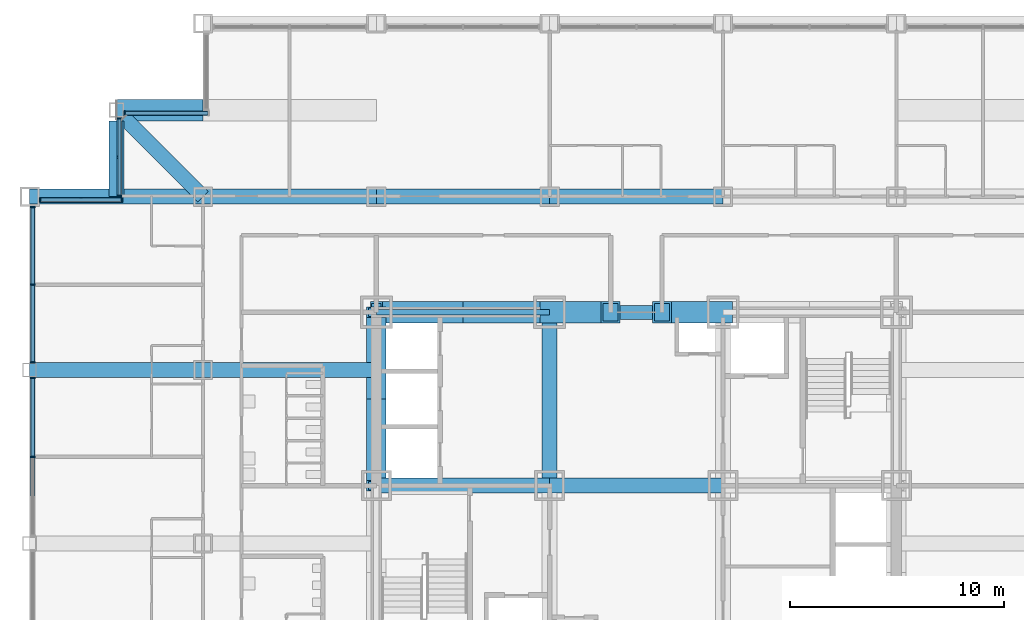
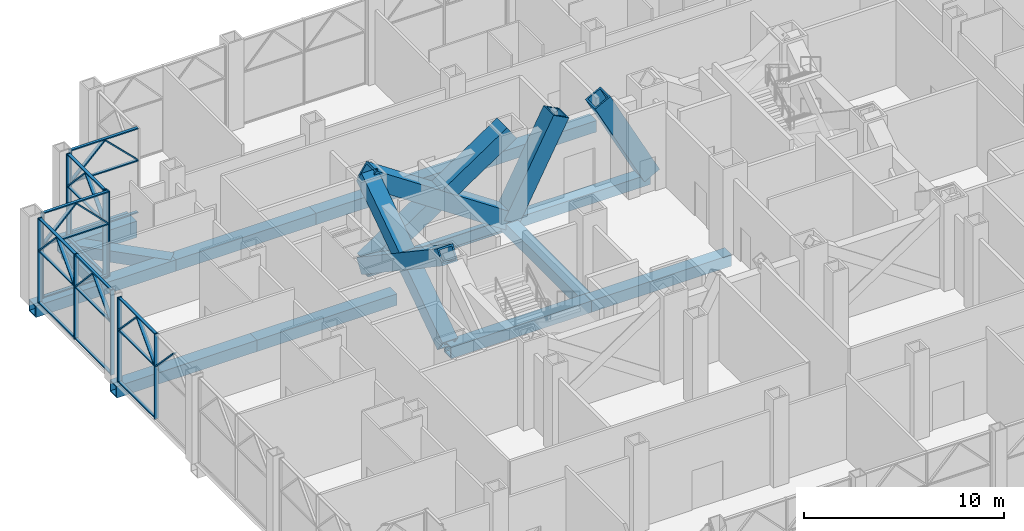
# One storey, part 6 of 26: 47 members, 14 beams, 5 elements without a shape of their own.
"""IFC4 building model written with IfcOpenShell, lengths in metres."""

from ifc_helpers import new_model, si_unit, direction, frame, origin, origin_2d, place, context, subcontext, project, spatial, rectangle, hollow_rectangle, i_section, extrude, material, material_profile, profile_set, type_object, element, aggregate, save


model = new_model("IFC4")

# Units and contexts
model_context = context("Model", 3, precision=1e-05, world=origin(), true_north=direction((0.0, 1.0)))
body_context = subcontext(model_context, "Body", "Model", "MODEL_VIEW")
ifc_project = project(units=[si_unit("LENGTHUNIT", "METRE"), si_unit("AREAUNIT", "SQUARE_METRE"), si_unit("VOLUMEUNIT", "CUBIC_METRE"), si_unit("PLANEANGLEUNIT", "RADIAN"), si_unit("MASSUNIT", "GRAM", prefix="KILO")], contexts=[model_context])

# Site, building, storey
site_placement = place(None, origin())
site = spatial("IfcSite", under=ifc_project, at=site_placement, CompositionType="ELEMENT")
building_placement = place(site_placement, origin())
building = spatial("IfcBuilding", under=site, at=building_placement, Name="Kopane Lantern Tower", CompositionType="ELEMENT")
storey_placement = place(building_placement, frame((0.0, 0.0, 98.0)))
storey = spatial("IfcBuildingStorey", under=building, at=storey_placement, Name="L24", CompositionType="ELEMENT", Elevation=98.0)

# Members
ifc_material_1 = material(Name="Steel S355JR", Category="steel")
ifc_material_profile_1 = material_profile(ifc_material_1, hollow_rectangle(XDim=1.0, YDim=1.0, WallThickness=0.10009765625, at=origin_2d()), Name="BOX 1000x1000x100")
ifc_profile_set_1 = profile_set([ifc_material_profile_1], Name="Steel S355JR")
member_type_1 = type_object("IfcMemberType", Name="BRACE BOX 1000x1000x100", PredefinedType="BRACE", material=ifc_profile_set_1)
for number, where, z_axis, x_axis, name in (
    (1, (16.199951171875, 40.5, -0.25), (0.830159256911, 0.0, 0.557526329571), (0.0, 1.0, 0.0), "Core brace L24"),
    (2, (24.300048828125, 40.5, -0.25), (-0.830159256911, 0.0, 0.557526329571), (0.0, -1.0, 0.0), "Core brace L24"),
):
    element("IfcMember", number, at=place(storey_placement, frame(where, z_axis=z_axis, x_axis=x_axis)), inside=storey, type_object=member_type_1, Name=name, PredefinedType="BRACE", context=body_context, shape_type="SweptSolid", body=[
        extrude(hollow_rectangle(XDim=1.0, YDim=1.0, WallThickness=0.10009765625, at=origin_2d()), origin(), (0.0, 0.0, 1.0), 9.75732421875),
    ])
for number, where, z_axis, x_axis, name in (
    (3, (24.300048828125, 40.5, -0.25), (0.464053044063, 0.0, 0.885807412645), (0.0, 1.0, 0.0), "Core brace L24"),
    (4, (32.39990234375, 40.5, -0.25), (-0.464053044063, 0.0, 0.885807412645), (0.0, -1.0, 0.0), "Core brace L24"),
):
    element("IfcMember", number, at=place(storey_placement, frame(where, z_axis=z_axis, x_axis=x_axis)), inside=storey, type_object=member_type_1, Name=name, PredefinedType="BRACE", context=body_context, shape_type="SweptSolid", body=[
        extrude(hollow_rectangle(XDim=1.0, YDim=1.0, WallThickness=0.10009765625, at=origin_2d()), origin(), (0.0, 0.0, 1.0), 6.14111328125),
    ])
ifc_material_2 = material(Name="Steel S355JR", Category="steel")
ifc_material_profile_2 = material_profile(ifc_material_2, hollow_rectangle(XDim=0.89990234375, YDim=0.89990234375, WallThickness=0.090087890625, at=origin_2d()), Name="BOX 900x900x90")
ifc_profile_set_2 = profile_set([ifc_material_profile_2], Name="Steel S355JR")
member_type_2 = type_object("IfcMemberType", Name="BRACE BOX 900x900x90", PredefinedType="BRACE", material=ifc_profile_set_2)
for number, where, z_axis, x_axis, name in (
    (5, (16.199951171875, 32.39990234375, -0.25), (0.0, 0.830159256911, 0.557526329571), (-1.0, 0.0, 0.0), "Core brace L24"),
    (6, (16.199951171875, 40.5, -0.25), (0.0, -0.830159256911, 0.557526329571), (1.0, 0.0, 0.0), "Core brace L24"),
):
    element("IfcMember", number, at=place(storey_placement, frame(where, z_axis=z_axis, x_axis=x_axis)), inside=storey, type_object=member_type_2, Name=name, PredefinedType="BRACE", context=body_context, shape_type="SweptSolid", body=[
        extrude(hollow_rectangle(XDim=0.89990234375, YDim=0.89990234375, WallThickness=0.090087890625, at=origin_2d()), origin(), (0.0, 0.0, 1.0), 9.75732421875),
    ])

# Beams
ifc_material_3 = material(Name="Steel S355JR", Category="steel")
ifc_material_profile_3 = material_profile(ifc_material_3, hollow_rectangle(XDim=0.699951171875, YDim=0.699951171875, WallThickness=0.06005859375, at=origin_2d()), Name="BOX 700x700x60")
ifc_profile_set_3 = profile_set([ifc_material_profile_3], Name="Steel S355JR")
beam_type_1 = type_object("IfcBeamType", Name="CORE BEAM BOX 700x700x60", PredefinedType="BEAM", material=ifc_profile_set_3)
for number, where, z_axis, x_axis, name in (
    (7, (16.199951171875, 32.39990234375, -0.60009765625), (1.0, 0.0, 0.0), (0.0, 1.0, 0.0), "Core Beam L24"),
    (8, (24.300048828125, 32.39990234375, -0.60009765625), (0.0, 1.0, 0.0), (-1.0, 0.0, 0.0), "Core Beam L24"),
):
    element("IfcBeam", number, at=place(storey_placement, frame(where, z_axis=z_axis, x_axis=x_axis)), inside=storey, type_object=beam_type_1, Name=name, PredefinedType="BEAM", context=body_context, shape_type="SweptSolid", body=[
        extrude(hollow_rectangle(XDim=0.699951171875, YDim=0.699951171875, WallThickness=0.06005859375, at=origin_2d()), origin(), (0.0, 0.0, 1.0), 8.10009765625),
    ])
beam_1_placement = place(storey_placement, frame((24.300048828125, 32.39990234375, -0.60009765625), z_axis=(1.0, 0.0, 0.0), x_axis=(0.0, 1.0, 0.0)))
element("IfcBeam", 9, at=beam_1_placement, inside=storey, type_object=beam_type_1, Name="Core Beam L24", PredefinedType="BEAM", context=body_context, shape_type="SweptSolid", body=[
    extrude(hollow_rectangle(XDim=0.699951171875, YDim=0.699951171875, WallThickness=0.06005859375, at=origin_2d()), origin(), (0.0, 0.0, 1.0), 8.099853515625),
])
ifc_material_4 = material(Name="Steel S355JR", Category="steel")
ifc_material_profile_4 = material_profile(ifc_material_4, hollow_rectangle(XDim=0.699951171875, YDim=0.699951171875, WallThickness=0.06005859375, at=origin_2d()), Name="BOX 700x700x60")
ifc_profile_set_4 = profile_set([ifc_material_profile_4], Name="Steel S355JR")
beam_type_2 = type_object("IfcBeamType", Name="CORNER TIE BEAM BOX 700x700x60", PredefinedType="BEAM", material=ifc_profile_set_4)
beam_2_placement = place(storey_placement, frame((4.403564453125, 49.596435546875, -0.60009765625), z_axis=(0.707106781187, -0.707106781187, 0.0), x_axis=(0.707106781187, 0.707106781187, 0.0)))
element("IfcBeam", 10, at=beam_2_placement, inside=storey, type_object=beam_type_2, Name="Corner Tie Beam L24", PredefinedType="BEAM", context=body_context, shape_type="SweptSolid", body=[
    extrude(hollow_rectangle(XDim=0.699951171875, YDim=0.699951171875, WallThickness=0.06005859375, at=origin_2d()), origin(), (0.0, 0.0, 1.0), 5.227783203125),
])
ifc_material_5 = material(Name="Steel S355JR", Category="steel")
ifc_material_profile_5 = material_profile(ifc_material_5, hollow_rectangle(XDim=0.699951171875, YDim=0.699951171875, WallThickness=0.06005859375, at=origin_2d()), Name="BOX 700x700x60")
ifc_profile_set_5 = profile_set([ifc_material_profile_5], Name="Steel S355JR")
beam_type_3 = type_object("IfcBeamType", Name="EDGE BEAM BOX 700x700x60", PredefinedType="BEAM", material=ifc_profile_set_5)
beam_3_placement = place(storey_placement, frame((4.050048828125, 49.449951171875, -0.60009765625), z_axis=(0.0, -1.0, 0.0), x_axis=(1.0, 0.0, 0.0)))
element("IfcBeam", 11, at=beam_3_placement, inside=storey, type_object=beam_type_3, Name="Edge Beam L24", PredefinedType="BEAM", context=body_context, shape_type="SweptSolid", body=[
    extrude(hollow_rectangle(XDim=0.699951171875, YDim=0.699951171875, WallThickness=0.06005859375, at=origin_2d()), origin(), (0.0, 0.0, 1.0), 3.550048828125),
])
ifc_material_6 = material(Name="Steel S355JR", Category="steel")
ifc_material_profile_6 = material_profile(ifc_material_6, hollow_rectangle(XDim=0.699951171875, YDim=0.699951171875, WallThickness=0.06005859375, at=origin_2d()), Name="BOX 700x700x60")
ifc_profile_set_6 = profile_set([ifc_material_profile_6], Name="Steel S355JR")
beam_type_4 = type_object("IfcBeamType", Name="GIRDER BOX 700x700x60", PredefinedType="BEAM", material=ifc_profile_set_6)
for number, where, z_axis, x_axis, name in (
    (12, (0.0, 37.800048828125, -0.60009765625), (1.0, 0.0, 0.0), (0.0, 1.0, 0.0), "Girder L24"),
    (13, (0.0, 45.89990234375, -0.60009765625), (1.0, 0.0, 0.0), (0.0, 1.0, 0.0), "Girder L24"),
):
    element("IfcBeam", number, at=place(storey_placement, frame(where, z_axis=z_axis, x_axis=x_axis)), inside=storey, type_object=beam_type_4, Name=name, PredefinedType="BEAM", context=body_context, shape_type="SweptSolid", body=[
        extrude(hollow_rectangle(XDim=0.699951171875, YDim=0.699951171875, WallThickness=0.06005859375, at=origin_2d()), origin(), (0.0, 0.0, 1.0), 8.10009765625),
    ])
for number, where, z_axis, x_axis, name in (
    (14, (8.10009765625, 37.800048828125, -0.60009765625), (1.0, 0.0, 0.0), (0.0, 1.0, 0.0), "Girder L24"),
    (15, (8.10009765625, 45.89990234375, -0.60009765625), (1.0, 0.0, 0.0), (0.0, 1.0, 0.0), "Girder L24"),
):
    element("IfcBeam", number, at=place(storey_placement, frame(where, z_axis=z_axis, x_axis=x_axis)), inside=storey, type_object=beam_type_4, Name=name, PredefinedType="BEAM", context=body_context, shape_type="SweptSolid", body=[
        extrude(hollow_rectangle(XDim=0.699951171875, YDim=0.699951171875, WallThickness=0.06005859375, at=origin_2d()), origin(), (0.0, 0.0, 1.0), 8.099853515625),
    ])
beam_4_placement = place(storey_placement, frame((16.199951171875, 45.89990234375, -0.60009765625), z_axis=(1.0, 0.0, 0.0), x_axis=(0.0, 1.0, 0.0)))
element("IfcBeam", 16, at=beam_4_placement, inside=storey, type_object=beam_type_4, Name="Girder L24", PredefinedType="BEAM", context=body_context, shape_type="SweptSolid", body=[
    extrude(hollow_rectangle(XDim=0.699951171875, YDim=0.699951171875, WallThickness=0.06005859375, at=origin_2d()), origin(), (0.0, 0.0, 1.0), 8.10009765625),
])
beam_5_placement = place(storey_placement, frame((24.300048828125, 45.89990234375, -0.60009765625), z_axis=(1.0, 0.0, 0.0), x_axis=(0.0, 1.0, 0.0)))
element("IfcBeam", 17, at=beam_5_placement, inside=storey, type_object=beam_type_4, Name="Girder L24", PredefinedType="BEAM", context=body_context, shape_type="SweptSolid", body=[
    extrude(hollow_rectangle(XDim=0.699951171875, YDim=0.699951171875, WallThickness=0.06005859375, at=origin_2d()), origin(), (0.0, 0.0, 1.0), 8.099853515625),
])
ifc_material_7 = material(Name="Steel S355JR", Category="steel")
ifc_material_profile_7 = material_profile(ifc_material_7, i_section(OverallWidth=0.2666015625, OverallDepth=0.76220703125, WebThickness=0.014404296875, FlangeThickness=0.021484375, FilletRadius=0.0166015625, at=origin_2d()), Name="UB 762x267x173")
ifc_profile_set_7 = profile_set([ifc_material_profile_7], Name="Steel S355JR")
beam_type_5 = type_object("IfcBeamType", Name="GIRDER UB 762x267x173", PredefinedType="BEAM", material=ifc_profile_set_7)
beam_6_placement = place(storey_placement, frame((16.199951171875, 40.5, -0.631103515625), z_axis=(1.0, 0.0, 0.0), x_axis=(0.0, 1.0, 0.0)))
element("IfcBeam", 18, at=beam_6_placement, inside=storey, type_object=beam_type_5, Name="Girder L24", PredefinedType="BEAM", context=body_context, shape_type="SweptSolid", body=[
    extrude(i_section(OverallWidth=0.2666015625, OverallDepth=0.76220703125, WebThickness=0.014404296875, FlangeThickness=0.021484375, FilletRadius=0.0166015625, at=origin_2d()), origin(), (0.0, 0.0, 1.0), 8.10009765625),
])
ifc_material_8 = material(Name="Steel S355JR", Category="steel")
ifc_material_profile_8 = material_profile(ifc_material_8, hollow_rectangle(XDim=0.64990234375, YDim=0.64990234375, WallThickness=0.070068359375, at=origin_2d()), Name="BOX 650x650x70")
ifc_profile_set_8 = profile_set([ifc_material_profile_8], Name="Steel S355JR")
beam_type_6 = type_object("IfcBeamType", Name="LINK BEAM BOX 650x650x70", PredefinedType="BEAM", material=ifc_profile_set_8)
beam_7_placement = place(storey_placement, frame((24.300048828125, 40.5, -0.574951171875), z_axis=(1.0, 0.0, 0.0), x_axis=(0.0, 1.0, 0.0)))
element("IfcBeam", 19, at=beam_7_placement, inside=storey, type_object=beam_type_6, Name="Link Beam L24", PredefinedType="BEAM", context=body_context, shape_type="SweptSolid", body=[
    extrude(hollow_rectangle(XDim=0.64990234375, YDim=0.64990234375, WallThickness=0.070068359375, at=origin_2d()), origin(), (0.0, 0.0, 1.0), 8.099853515625),
])

# Curtain wall, members
ifc_material_9 = material(Name="Aluminium and clear glass", Category="aluminium")
curtain_wall_type = type_object("IfcCurtainWallType", Name="CURTAIN WALL CW3 SKY LOBBY", PredefinedType="USERDEFINED", material=ifc_material_9)
curtain_wall_1_placement = place(storey_placement, origin())
curtain_wall_1 = element("IfcCurtainWall", 20, at=curtain_wall_1_placement, inside=storey, type_object=curtain_wall_type, Name="Curtain wall CW3 N L24", ObjectType="CURTAIN WALL", PredefinedType="USERDEFINED")
ifc_material_10 = material(Name="Aluminium", Category="aluminium")
ifc_material_profile_9 = material_profile(ifc_material_10, rectangle(XDim=0.070068359375, YDim=0.22509765625, at=origin_2d()), Name="AL 70x225")
ifc_profile_set_9 = profile_set([ifc_material_profile_9], Name="Aluminium")
member_type_3 = type_object("IfcMemberType", Name="MULLION CW3-M 70x225", PredefinedType="MULLION", material=ifc_profile_set_9)
member_1_placement = place(storey_placement, frame((4.43994140625, 49.800048828125, 0.0), z_axis=(0.0, 0.0, 1.0), x_axis=(-1.0, 0.0, 0.0)))
member_1 = element("IfcMember", 21, at=member_1_placement, type_object=member_type_3, Name="CW3 mullion 2", PredefinedType="MULLION", context=body_context, shape_type="SweptSolid", body=[
    extrude(rectangle(XDim=0.070068359375, YDim=0.22509765625, at=origin_2d()), origin(), (0.0, 0.0, 1.0), 5.18994140625),
])
member_2_placement = place(storey_placement, frame((8.305419921875, 49.800048828125, 3.25), z_axis=(-0.713429949389, 0.0, 0.700726556736), x_axis=(0.700726556736, 0.0, 0.713429949389)))
member_2 = element("IfcMember", 22, at=member_2_placement, type_object=member_type_3, Name="CW3 lancet mullion 1L", PredefinedType="MULLION", context=body_context, shape_type="SweptSolid", body=[
    extrude(rectangle(XDim=0.070068359375, YDim=0.22509765625, at=origin_2d()), origin(), (0.0, 0.0, 1.0), 2.633056640625),
])
member_3_placement = place(storey_placement, frame((4.49951171875, 49.800048828125, 3.25), z_axis=(0.713429949389, 0.0, 0.700726556736), x_axis=(-0.700726556736, 0.0, 0.713429949389)))
member_3 = element("IfcMember", 23, at=member_3_placement, type_object=member_type_3, Name="CW3 lancet mullion 1R", PredefinedType="MULLION", context=body_context, shape_type="SweptSolid", body=[
    extrude(rectangle(XDim=0.070068359375, YDim=0.22509765625, at=origin_2d()), origin(), (0.0, 0.0, 1.0), 2.633056640625),
])

curtain_wall_2_placement = place(storey_placement, origin())
curtain_wall_2 = element("IfcCurtainWall", 24, at=curtain_wall_2_placement, inside=storey, type_object=curtain_wall_type, Name="Curtain wall CW3 W L24", ObjectType="CURTAIN WALL", PredefinedType="USERDEFINED")
member_4_placement = place(storey_placement, frame((4.199951171875, 49.56005859375, 0.0), z_axis=(0.0, 0.0, 1.0), x_axis=(0.0, -1.0, 0.0)))
member_4 = element("IfcMember", 25, at=member_4_placement, type_object=member_type_3, Name="CW3 mullion 1", PredefinedType="MULLION", context=body_context, shape_type="SweptSolid", body=[
    extrude(rectangle(XDim=0.070068359375, YDim=0.22509765625, at=origin_2d()), origin(), (0.0, 0.0, 1.0), 5.18994140625),
])
member_5_placement = place(storey_placement, frame((4.199951171875, 45.93505859375, 0.0), z_axis=(0.0, 0.0, 1.0), x_axis=(0.0, -1.0, 0.0)))
member_5 = element("IfcMember", 26, at=member_5_placement, type_object=member_type_3, Name="CW3 mullion 2", PredefinedType="MULLION", context=body_context, shape_type="SweptSolid", body=[
    extrude(rectangle(XDim=0.070068359375, YDim=0.22509765625, at=origin_2d()), origin(), (0.0, 0.0, 1.0), 5.18994140625),
])
member_6_placement = place(storey_placement, frame((4.199951171875, 49.49951171875, 3.248779296875), z_axis=(0.0, -0.682755043512, 0.73064735034), x_axis=(0.0, 0.73064735034, 0.682755043512)))
member_6 = element("IfcMember", 27, at=member_6_placement, type_object=member_type_3, Name="CW3 lancet mullion 1L", PredefinedType="MULLION", context=body_context, shape_type="SweptSolid", body=[
    extrude(rectangle(XDim=0.070068359375, YDim=0.22509765625, at=origin_2d()), origin(), (0.0, 0.0, 1.0), 2.528564453125),
])
member_7_placement = place(storey_placement, frame((4.199951171875, 45.99560546875, 3.248779296875), z_axis=(0.0, 0.682755043512, 0.73064735034), x_axis=(0.0, -0.73064735034, 0.682755043512)))
member_7 = element("IfcMember", 28, at=member_7_placement, type_object=member_type_3, Name="CW3 lancet mullion 1R", PredefinedType="MULLION", context=body_context, shape_type="SweptSolid", body=[
    extrude(rectangle(XDim=0.070068359375, YDim=0.22509765625, at=origin_2d()), origin(), (0.0, 0.0, 1.0), 2.528564453125),
])

curtain_wall_3_placement = place(storey_placement, origin())
curtain_wall_3 = element("IfcCurtainWall", 29, at=curtain_wall_3_placement, inside=storey, type_object=curtain_wall_type, Name="Curtain wall CW3 N L24", ObjectType="CURTAIN WALL", PredefinedType="USERDEFINED")
member_8_placement = place(storey_placement, frame((4.31494140625, 45.75, 0.0), z_axis=(0.0, 0.0, 1.0), x_axis=(-1.0, 0.0, 0.0)))
member_8 = element("IfcMember", 30, at=member_8_placement, type_object=member_type_3, Name="CW3 mullion 1", PredefinedType="MULLION", context=body_context, shape_type="SweptSolid", body=[
    extrude(rectangle(XDim=0.070068359375, YDim=0.22509765625, at=origin_2d()), origin(), (0.0, 0.0, 1.0), 5.18994140625),
])
member_9_placement = place(storey_placement, frame((0.489990234375, 45.75, 0.0), z_axis=(0.0, 0.0, 1.0), x_axis=(-1.0, 0.0, 0.0)))
member_9 = element("IfcMember", 31, at=member_9_placement, type_object=member_type_3, Name="CW3 mullion 2", PredefinedType="MULLION", context=body_context, shape_type="SweptSolid", body=[
    extrude(rectangle(XDim=0.070068359375, YDim=0.22509765625, at=origin_2d()), origin(), (0.0, 0.0, 1.0), 5.18994140625),
])
member_10_placement = place(storey_placement, frame((4.255126953125, 45.75, 3.24951171875), z_axis=(-0.703573550924, 0.0, 0.710622444368), x_axis=(0.710622444368, 0.0, 0.703573550924)))
member_10 = element("IfcMember", 32, at=member_10_placement, type_object=member_type_3, Name="CW3 lancet mullion 1L", PredefinedType="MULLION", context=body_context, shape_type="SweptSolid", body=[
    extrude(rectangle(XDim=0.070068359375, YDim=0.22509765625, at=origin_2d()), origin(), (0.0, 0.0, 1.0), 2.59765625),
])
member_11_placement = place(storey_placement, frame((0.5498046875, 45.75, 3.24951171875), z_axis=(0.703621007287, 0.0, 0.710575455602), x_axis=(-0.710575455602, 0.0, 0.703621007287)))
member_11 = element("IfcMember", 33, at=member_11_placement, type_object=member_type_3, Name="CW3 lancet mullion 1R", PredefinedType="MULLION", context=body_context, shape_type="SweptSolid", body=[
    extrude(rectangle(XDim=0.070068359375, YDim=0.22509765625, at=origin_2d()), origin(), (0.0, 0.0, 1.0), 2.597900390625),
])

curtain_wall_4_placement = place(storey_placement, origin())
curtain_wall_4 = element("IfcCurtainWall", 34, at=curtain_wall_4_placement, inside=storey, type_object=curtain_wall_type, Name="Curtain wall CW3 W L24", ObjectType="CURTAIN WALL", PredefinedType="USERDEFINED")
member_12_placement = place(storey_placement, frame((0.14990234375, 45.409912109375, 0.0), z_axis=(0.0, 0.0, 1.0), x_axis=(0.0, -1.0, 0.0)))
member_12 = element("IfcMember", 35, at=member_12_placement, type_object=member_type_3, Name="CW3 mullion 1", PredefinedType="MULLION", context=body_context, shape_type="SweptSolid", body=[
    extrude(rectangle(XDim=0.070068359375, YDim=0.22509765625, at=origin_2d()), origin(), (0.0, 0.0, 1.0), 5.18994140625),
])
member_13_placement = place(storey_placement, frame((0.14990234375, 41.78759765625, 0.0), z_axis=(0.0, 0.0, 1.0), x_axis=(0.0, -1.0, 0.0)))
member_13 = element("IfcMember", 36, at=member_13_placement, type_object=member_type_3, Name="CW3 mullion 2", PredefinedType="MULLION", context=body_context, shape_type="SweptSolid", body=[
    extrude(rectangle(XDim=0.070068359375, YDim=0.22509765625, at=origin_2d()), origin(), (0.0, 0.0, 1.0), 5.18994140625),
])
member_14_placement = place(storey_placement, frame((0.14990234375, 38.1650390625, 0.0), z_axis=(0.0, 0.0, 1.0), x_axis=(0.0, -1.0, 0.0)))
member_14 = element("IfcMember", 37, at=member_14_placement, type_object=member_type_3, Name="CW3 mullion 3", PredefinedType="MULLION", context=body_context, shape_type="SweptSolid", body=[
    extrude(rectangle(XDim=0.070068359375, YDim=0.22509765625, at=origin_2d()), origin(), (0.0, 0.0, 1.0), 5.18994140625),
])
member_15_placement = place(storey_placement, frame((0.14990234375, 45.349365234375, 3.248779296875), z_axis=(0.0, -0.682497183228, 0.73088822325), x_axis=(0.0, 0.73088822325, 0.682497183228)))
member_15 = element("IfcMember", 38, at=member_15_placement, type_object=member_type_3, Name="CW3 lancet mullion 1L", PredefinedType="MULLION", context=body_context, shape_type="SweptSolid", body=[
    extrude(rectangle(XDim=0.070068359375, YDim=0.22509765625, at=origin_2d()), origin(), (0.0, 0.0, 1.0), 2.527587890625),
])
member_16_placement = place(storey_placement, frame((0.14990234375, 41.84814453125, 3.248779296875), z_axis=(0.0, 0.682497183228, 0.73088822325), x_axis=(0.0, -0.73088822325, 0.682497183228)))
member_16 = element("IfcMember", 39, at=member_16_placement, type_object=member_type_3, Name="CW3 lancet mullion 1R", PredefinedType="MULLION", context=body_context, shape_type="SweptSolid", body=[
    extrude(rectangle(XDim=0.070068359375, YDim=0.22509765625, at=origin_2d()), origin(), (0.0, 0.0, 1.0), 2.527587890625),
])
member_17_placement = place(storey_placement, frame((0.14990234375, 41.726806640625, 3.248779296875), z_axis=(0.0, -0.682497183228, 0.73088822325), x_axis=(0.0, 0.73088822325, 0.682497183228)))
member_17 = element("IfcMember", 40, at=member_17_placement, type_object=member_type_3, Name="CW3 lancet mullion 2L", PredefinedType="MULLION", context=body_context, shape_type="SweptSolid", body=[
    extrude(rectangle(XDim=0.070068359375, YDim=0.22509765625, at=origin_2d()), origin(), (0.0, 0.0, 1.0), 2.527587890625),
])
member_18_placement = place(storey_placement, frame((0.14990234375, 38.2255859375, 3.248779296875), z_axis=(0.0, 0.682497183228, 0.73088822325), x_axis=(0.0, -0.73088822325, 0.682497183228)))
member_18 = element("IfcMember", 41, at=member_18_placement, type_object=member_type_3, Name="CW3 lancet mullion 2R", PredefinedType="MULLION", context=body_context, shape_type="SweptSolid", body=[
    extrude(rectangle(XDim=0.070068359375, YDim=0.22509765625, at=origin_2d()), origin(), (0.0, 0.0, 1.0), 2.527587890625),
])

curtain_wall_5_placement = place(storey_placement, origin())
curtain_wall_5 = element("IfcCurtainWall", 42, at=curtain_wall_5_placement, inside=storey, type_object=curtain_wall_type, Name="Curtain wall CW3 W L24", ObjectType="CURTAIN WALL", PredefinedType="USERDEFINED")
member_19_placement = place(storey_placement, frame((0.14990234375, 37.43505859375, 0.0), z_axis=(0.0, 0.0, 1.0), x_axis=(0.0, -1.0, 0.0)))
member_19 = element("IfcMember", 43, at=member_19_placement, type_object=member_type_3, Name="CW3 mullion 1", PredefinedType="MULLION", context=body_context, shape_type="SweptSolid", body=[
    extrude(rectangle(XDim=0.070068359375, YDim=0.22509765625, at=origin_2d()), origin(), (0.0, 0.0, 1.0), 5.18994140625),
])
member_20_placement = place(storey_placement, frame((0.14990234375, 33.75, 0.0), z_axis=(0.0, 0.0, 1.0), x_axis=(0.0, -1.0, 0.0)))
member_20 = element("IfcMember", 44, at=member_20_placement, type_object=member_type_3, Name="CW3 mullion 2", PredefinedType="MULLION", context=body_context, shape_type="SweptSolid", body=[
    extrude(rectangle(XDim=0.070068359375, YDim=0.22509765625, at=origin_2d()), origin(), (0.0, 0.0, 1.0), 5.18994140625),
])
member_21_placement = place(storey_placement, frame((0.14990234375, 37.37451171875, 3.2490234375), z_axis=(0.0, -0.689164705863, 0.724604725483), x_axis=(0.0, 0.724604725483, 0.689164705863)))
member_21 = element("IfcMember", 45, at=member_21_placement, type_object=member_type_3, Name="CW3 lancet mullion 1L", PredefinedType="MULLION", context=body_context, shape_type="SweptSolid", body=[
    extrude(rectangle(XDim=0.070068359375, YDim=0.22509765625, at=origin_2d()), origin(), (0.0, 0.0, 1.0), 2.548828125),
])
member_22_placement = place(storey_placement, frame((0.14990234375, 33.810302734375, 3.2490234375), z_axis=(0.0, 0.689214992379, 0.724556895129), x_axis=(0.0, -0.724556895129, 0.689214992379)))
member_22 = element("IfcMember", 46, at=member_22_placement, type_object=member_type_3, Name="CW3 lancet mullion 1R", PredefinedType="MULLION", context=body_context, shape_type="SweptSolid", body=[
    extrude(rectangle(XDim=0.070068359375, YDim=0.22509765625, at=origin_2d()), origin(), (0.0, 0.0, 1.0), 2.549072265625),
])
member_23_placement = place(storey_placement, frame((0.14990234375, 33.689697265625, 3.2490234375), z_axis=(0.0, -0.689214992379, 0.724556895129), x_axis=(0.0, 0.724556895129, 0.689214992379)))
member_23 = element("IfcMember", 47, at=member_23_placement, type_object=member_type_3, Name="CW3 lancet mullion 2L", PredefinedType="MULLION", context=body_context, shape_type="SweptSolid", body=[
    extrude(rectangle(XDim=0.070068359375, YDim=0.22509765625, at=origin_2d()), origin(), (0.0, 0.0, 1.0), 2.549072265625),
])

# Beam
ifc_material_11 = material(Name="Steel S355JR", Category="steel")
ifc_material_profile_10 = material_profile(ifc_material_11, hollow_rectangle(XDim=1.0, YDim=1.0, WallThickness=0.06005859375, at=origin_2d()), Name="BOX 1000x1000x60")
ifc_profile_set_10 = profile_set([ifc_material_profile_10], Name="Steel S355JR")
beam_type_7 = type_object("IfcBeamType", Name="TRANSFER BEAM BOX 1000x1000x60", PredefinedType="BEAM", material=ifc_profile_set_10)
beam_8_placement = place(storey_placement, frame((4.050048828125, 49.949951171875, -0.75), z_axis=(1.0, 0.0, 0.0), x_axis=(0.0, 1.0, 0.0)))
element("IfcBeam", 48, at=beam_8_placement, inside=storey, type_object=beam_type_7, Name="Transfer Beam L24", PredefinedType="BEAM", context=body_context, shape_type="SweptSolid", body=[
    extrude(hollow_rectangle(XDim=1.0, YDim=1.0, WallThickness=0.06005859375, at=origin_2d()), origin(), (0.0, 0.0, 1.0), 4.050048828125),
])

# Member
ifc_material_12 = material(Name="Aluminium", Category="aluminium")
ifc_material_profile_11 = material_profile(ifc_material_12, rectangle(XDim=0.159912109375, YDim=0.070068359375, at=origin_2d()), Name="AL 160x70")
ifc_profile_set_11 = profile_set([ifc_material_profile_11], Name="Aluminium")
member_type_4 = type_object("IfcMemberType", Name="TRANSOM CW3-T 70x160", PredefinedType="USERDEFINED", material=ifc_profile_set_11)
member_24_placement = place(storey_placement, frame((8.330078125, 49.800048828125, 0.034912109375), z_axis=(-1.0, 0.0, 0.0), x_axis=(0.0, -1.0, 0.0)))
member_24 = element("IfcMember", 49, at=member_24_placement, type_object=member_type_4, Name="CW3 transom 1.1", ObjectType="TRANSOM", PredefinedType="USERDEFINED", context=body_context, shape_type="SweptSolid", body=[
    extrude(rectangle(XDim=0.159912109375, YDim=0.070068359375, at=origin_2d()), origin(), (0.0, 0.0, 1.0), 3.85498046875),
])

member_25_placement = place(storey_placement, frame((8.330078125, 49.800048828125, 3.18994140625), z_axis=(-1.0, 0.0, 0.0), x_axis=(0.0, -1.0, 0.0)))
member_25 = element("IfcMember", 50, at=member_25_placement, type_object=member_type_4, Name="CW3 transom 1.2", ObjectType="TRANSOM", PredefinedType="USERDEFINED", context=body_context, shape_type="SweptSolid", body=[
    extrude(rectangle(XDim=0.159912109375, YDim=0.070068359375, at=origin_2d()), origin(), (0.0, 0.0, 1.0), 3.85498046875),
])

member_26_placement = place(storey_placement, frame((8.330078125, 49.800048828125, 5.155029296875), z_axis=(-1.0, 0.0, 0.0), x_axis=(0.0, -1.0, 0.0)))
member_26 = element("IfcMember", 51, at=member_26_placement, type_object=member_type_4, Name="CW3 transom 1.3", ObjectType="TRANSOM", PredefinedType="USERDEFINED", context=body_context, shape_type="SweptSolid", body=[
    extrude(rectangle(XDim=0.159912109375, YDim=0.070068359375, at=origin_2d()), origin(), (0.0, 0.0, 1.0), 3.85498046875),
])

aggregate(curtain_wall_1, [member_1, member_24, member_25, member_26, member_2, member_3])

member_27_placement = place(storey_placement, frame((4.199951171875, 49.52490234375, 0.034912109375), z_axis=(0.0, -1.0, 0.0), x_axis=(1.0, 0.0, 0.0)))
member_27 = element("IfcMember", 52, at=member_27_placement, type_object=member_type_4, Name="CW3 transom 1.1", ObjectType="TRANSOM", PredefinedType="USERDEFINED", context=body_context, shape_type="SweptSolid", body=[
    extrude(rectangle(XDim=0.159912109375, YDim=0.070068359375, at=origin_2d()), origin(), (0.0, 0.0, 1.0), 3.554931640625),
])

member_28_placement = place(storey_placement, frame((4.199951171875, 49.52490234375, 3.18994140625), z_axis=(0.0, -1.0, 0.0), x_axis=(1.0, 0.0, 0.0)))
member_28 = element("IfcMember", 53, at=member_28_placement, type_object=member_type_4, Name="CW3 transom 1.2", ObjectType="TRANSOM", PredefinedType="USERDEFINED", context=body_context, shape_type="SweptSolid", body=[
    extrude(rectangle(XDim=0.159912109375, YDim=0.070068359375, at=origin_2d()), origin(), (0.0, 0.0, 1.0), 3.554931640625),
])

member_29_placement = place(storey_placement, frame((4.199951171875, 49.52490234375, 5.155029296875), z_axis=(0.0, -1.0, 0.0), x_axis=(1.0, 0.0, 0.0)))
member_29 = element("IfcMember", 54, at=member_29_placement, type_object=member_type_4, Name="CW3 transom 1.3", ObjectType="TRANSOM", PredefinedType="USERDEFINED", context=body_context, shape_type="SweptSolid", body=[
    extrude(rectangle(XDim=0.159912109375, YDim=0.070068359375, at=origin_2d()), origin(), (0.0, 0.0, 1.0), 3.554931640625),
])

aggregate(curtain_wall_2, [member_4, member_5, member_27, member_28, member_29, member_6, member_7])

member_30_placement = place(storey_placement, frame((4.280029296875, 45.75, 0.034912109375), z_axis=(-1.0, 0.0, 0.0), x_axis=(0.0, -1.0, 0.0)))
member_30 = element("IfcMember", 55, at=member_30_placement, type_object=member_type_4, Name="CW3 transom 1.1", ObjectType="TRANSOM", PredefinedType="USERDEFINED", context=body_context, shape_type="SweptSolid", body=[
    extrude(rectangle(XDim=0.159912109375, YDim=0.070068359375, at=origin_2d()), origin(), (0.0, 0.0, 1.0), 3.755126953125),
])

member_31_placement = place(storey_placement, frame((4.280029296875, 45.75, 3.18994140625), z_axis=(-1.0, 0.0, 0.0), x_axis=(0.0, -1.0, 0.0)))
member_31 = element("IfcMember", 56, at=member_31_placement, type_object=member_type_4, Name="CW3 transom 1.2", ObjectType="TRANSOM", PredefinedType="USERDEFINED", context=body_context, shape_type="SweptSolid", body=[
    extrude(rectangle(XDim=0.159912109375, YDim=0.070068359375, at=origin_2d()), origin(), (0.0, 0.0, 1.0), 3.755126953125),
])

member_32_placement = place(storey_placement, frame((4.280029296875, 45.75, 5.155029296875), z_axis=(-1.0, 0.0, 0.0), x_axis=(0.0, -1.0, 0.0)))
member_32 = element("IfcMember", 57, at=member_32_placement, type_object=member_type_4, Name="CW3 transom 1.3", ObjectType="TRANSOM", PredefinedType="USERDEFINED", context=body_context, shape_type="SweptSolid", body=[
    extrude(rectangle(XDim=0.159912109375, YDim=0.070068359375, at=origin_2d()), origin(), (0.0, 0.0, 1.0), 3.755126953125),
])

aggregate(curtain_wall_3, [member_8, member_9, member_30, member_31, member_32, member_10, member_11])

member_33_placement = place(storey_placement, frame((0.14990234375, 45.375, 0.034912109375), z_axis=(0.0, -1.0, 0.0), x_axis=(1.0, 0.0, 0.0)))
member_33 = element("IfcMember", 58, at=member_33_placement, type_object=member_type_4, Name="CW3 transom 1.1", ObjectType="TRANSOM", PredefinedType="USERDEFINED", context=body_context, shape_type="SweptSolid", body=[
    extrude(rectangle(XDim=0.159912109375, YDim=0.070068359375, at=origin_2d()), origin(), (0.0, 0.0, 1.0), 3.552490234375),
])

member_34_placement = place(storey_placement, frame((0.14990234375, 45.375, 3.18994140625), z_axis=(0.0, -1.0, 0.0), x_axis=(1.0, 0.0, 0.0)))
member_34 = element("IfcMember", 59, at=member_34_placement, type_object=member_type_4, Name="CW3 transom 1.2", ObjectType="TRANSOM", PredefinedType="USERDEFINED", context=body_context, shape_type="SweptSolid", body=[
    extrude(rectangle(XDim=0.159912109375, YDim=0.070068359375, at=origin_2d()), origin(), (0.0, 0.0, 1.0), 3.552490234375),
])

member_35_placement = place(storey_placement, frame((0.14990234375, 45.375, 5.155029296875), z_axis=(0.0, -1.0, 0.0), x_axis=(1.0, 0.0, 0.0)))
member_35 = element("IfcMember", 60, at=member_35_placement, type_object=member_type_4, Name="CW3 transom 1.3", ObjectType="TRANSOM", PredefinedType="USERDEFINED", context=body_context, shape_type="SweptSolid", body=[
    extrude(rectangle(XDim=0.159912109375, YDim=0.070068359375, at=origin_2d()), origin(), (0.0, 0.0, 1.0), 3.552490234375),
])

member_36_placement = place(storey_placement, frame((0.14990234375, 41.75244140625, 0.034912109375), z_axis=(0.0, -1.0, 0.0), x_axis=(1.0, 0.0, 0.0)))
member_36 = element("IfcMember", 61, at=member_36_placement, type_object=member_type_4, Name="CW3 transom 2.1", ObjectType="TRANSOM", PredefinedType="USERDEFINED", context=body_context, shape_type="SweptSolid", body=[
    extrude(rectangle(XDim=0.159912109375, YDim=0.070068359375, at=origin_2d()), origin(), (0.0, 0.0, 1.0), 3.552490234375),
])

member_37_placement = place(storey_placement, frame((0.14990234375, 41.75244140625, 3.18994140625), z_axis=(0.0, -1.0, 0.0), x_axis=(1.0, 0.0, 0.0)))
member_37 = element("IfcMember", 62, at=member_37_placement, type_object=member_type_4, Name="CW3 transom 2.2", ObjectType="TRANSOM", PredefinedType="USERDEFINED", context=body_context, shape_type="SweptSolid", body=[
    extrude(rectangle(XDim=0.159912109375, YDim=0.070068359375, at=origin_2d()), origin(), (0.0, 0.0, 1.0), 3.552490234375),
])

member_38_placement = place(storey_placement, frame((0.14990234375, 41.75244140625, 5.155029296875), z_axis=(0.0, -1.0, 0.0), x_axis=(1.0, 0.0, 0.0)))
member_38 = element("IfcMember", 63, at=member_38_placement, type_object=member_type_4, Name="CW3 transom 2.3", ObjectType="TRANSOM", PredefinedType="USERDEFINED", context=body_context, shape_type="SweptSolid", body=[
    extrude(rectangle(XDim=0.159912109375, YDim=0.070068359375, at=origin_2d()), origin(), (0.0, 0.0, 1.0), 3.552490234375),
])

aggregate(curtain_wall_4, [member_12, member_13, member_14, member_33, member_34, member_35, member_36, member_37, member_38, member_15, member_16, member_17, member_18])

member_39_placement = place(storey_placement, frame((0.14990234375, 37.39990234375, 0.034912109375), z_axis=(0.0, -1.0, 0.0), x_axis=(1.0, 0.0, 0.0)))
member_39 = element("IfcMember", 64, at=member_39_placement, type_object=member_type_4, Name="CW3 transom 1.1", ObjectType="TRANSOM", PredefinedType="USERDEFINED", context=body_context, shape_type="SweptSolid", body=[
    extrude(rectangle(XDim=0.159912109375, YDim=0.070068359375, at=origin_2d()), origin(), (0.0, 0.0, 1.0), 3.614990234375),
])

member_40_placement = place(storey_placement, frame((0.14990234375, 37.39990234375, 3.18994140625), z_axis=(0.0, -1.0, 0.0), x_axis=(1.0, 0.0, 0.0)))
member_40 = element("IfcMember", 65, at=member_40_placement, type_object=member_type_4, Name="CW3 transom 1.2", ObjectType="TRANSOM", PredefinedType="USERDEFINED", context=body_context, shape_type="SweptSolid", body=[
    extrude(rectangle(XDim=0.159912109375, YDim=0.070068359375, at=origin_2d()), origin(), (0.0, 0.0, 1.0), 3.614990234375),
])

member_41_placement = place(storey_placement, frame((0.14990234375, 37.39990234375, 5.155029296875), z_axis=(0.0, -1.0, 0.0), x_axis=(1.0, 0.0, 0.0)))
member_41 = element("IfcMember", 66, at=member_41_placement, type_object=member_type_4, Name="CW3 transom 1.3", ObjectType="TRANSOM", PredefinedType="USERDEFINED", context=body_context, shape_type="SweptSolid", body=[
    extrude(rectangle(XDim=0.159912109375, YDim=0.070068359375, at=origin_2d()), origin(), (0.0, 0.0, 1.0), 3.614990234375),
])

aggregate(curtain_wall_5, [member_19, member_20, member_39, member_40, member_41, member_21, member_22, member_23])

save(model, "model.ifc")
